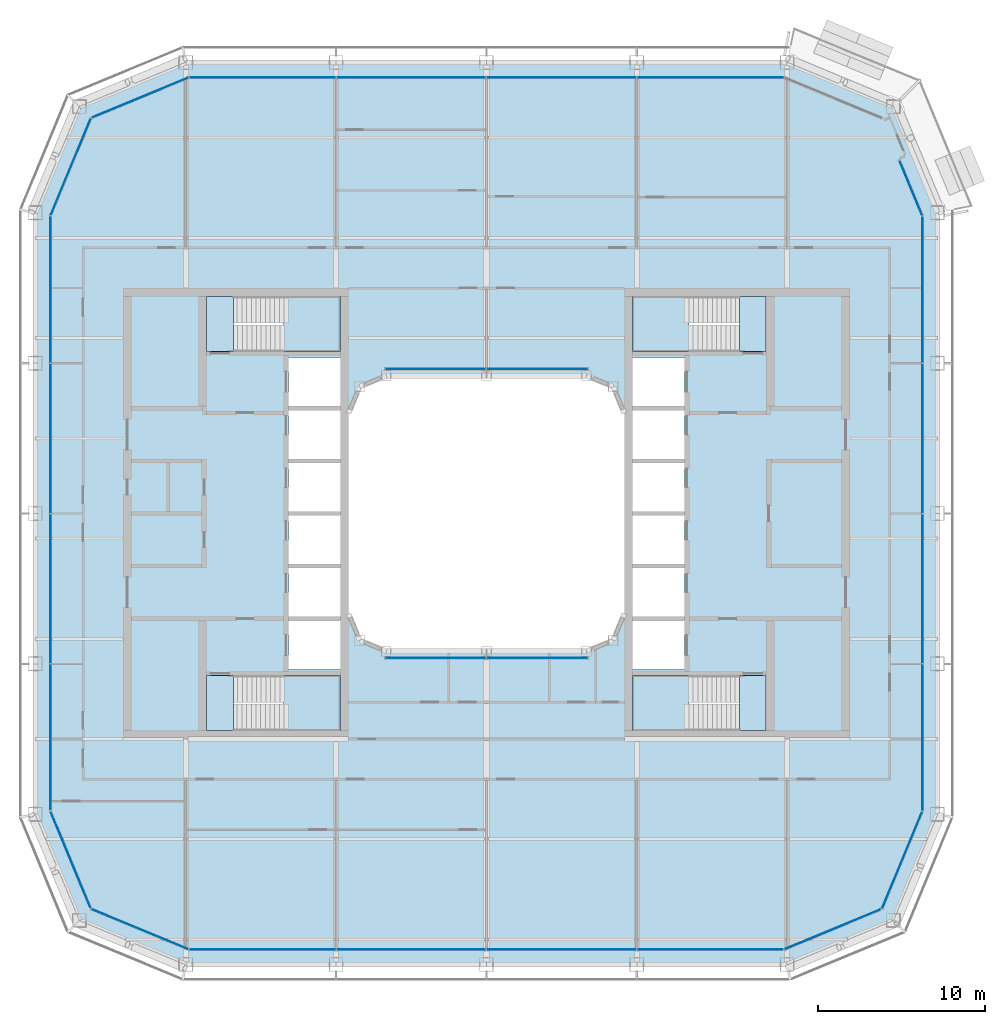
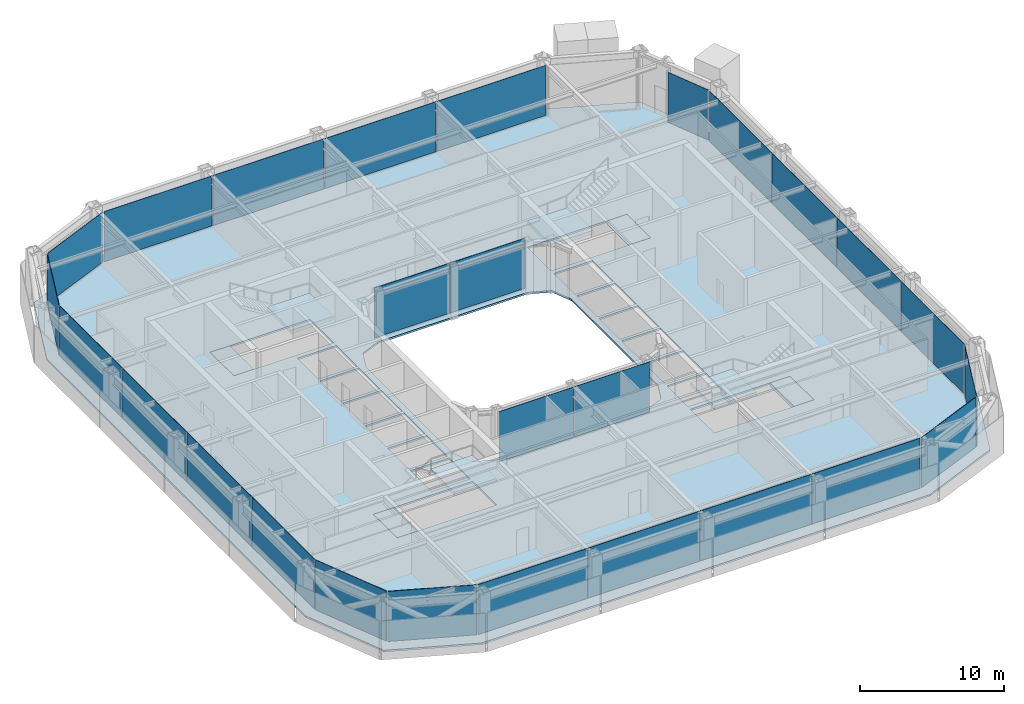
# One storey, part 11 of 23: 27 plates, 9 slabs, 17 elements without a shape of their own.
"""IFC4 building model written with IfcOpenShell, lengths in metres."""

from ifc_helpers import new_model, si_unit, direction, frame, origin, origin_2d, place, context, subcontext, project, spatial, polyline, rectangle, outline, extrude, material, layer, layer_set, type_object, element, aggregate, save


model = new_model("IFC4")

# Units and contexts
model_context = context("Model", 3, precision=1e-05, world=origin(), true_north=direction((0.0, 1.0)))
body_context = subcontext(model_context, "Body", "Model", "MODEL_VIEW")
ifc_project = project(units=[si_unit("LENGTHUNIT", "METRE"), si_unit("AREAUNIT", "SQUARE_METRE"), si_unit("VOLUMEUNIT", "CUBIC_METRE"), si_unit("PLANEANGLEUNIT", "RADIAN"), si_unit("MASSUNIT", "GRAM", prefix="KILO")], contexts=[model_context])

# Site, building, storey
site_placement = place(None, origin())
site = spatial("IfcSite", under=ifc_project, at=site_placement, CompositionType="ELEMENT")
building_placement = place(site_placement, origin())
building = spatial("IfcBuilding", under=site, at=building_placement, Name="Siwar Civic Tower", CompositionType="ELEMENT")
storey_placement = place(building_placement, frame((0.0, 0.0, 206.199951171875)))
storey = spatial("IfcBuildingStorey", under=building, at=storey_placement, Name="L44", CompositionType="ELEMENT", Elevation=206.199951171875)

# Stair, slabs
ifc_material_1 = material(Name="Concrete C40/50", Category="concrete")
stair_type = type_object("IfcStairType", Name="CORE-STAIR", PredefinedType="TWO_STRAIGHT_RUN_STAIR", material=ifc_material_1)
stair_1_placement = place(storey_placement, origin())
stair_1 = element("IfcStair", 1, at=stair_1_placement, inside=storey, type_object=stair_type, Name="Exit stair ST1", PredefinedType="TWO_STRAIGHT_RUN_STAIR")
ifc_material_2 = material(Name="Concrete C40/50", Category="concrete")
ifc_layer_1 = layer(ifc_material_2, 0.300048828125)
ifc_layer_set_1 = layer_set([ifc_layer_1], Name="Concrete C40/50")
slab_type_1 = type_object("IfcSlabType", Name="CORE-STAIR-LANDING", PredefinedType="LANDING", material=ifc_layer_set_1)
slab_1_placement = place(storey_placement, frame((0.0, 0.0, -0.300048828125)))
slab_1 = element("IfcSlab", 2, at=slab_1_placement, type_object=slab_type_1, Name="ST1 landing 1", PredefinedType="LANDING", context=body_context, shape_type="SweptSolid", body=[
    extrude(outline(polyline([(-15.14990234375, 13.0), (-16.75, 13.0), (-16.75, 9.699951171875), (-15.14990234375, 9.699951171875), (-15.14990234375, 13.0)])), origin(), (0.0, 0.0, 1.0), 0.300048828125),
])
slab_2_placement = place(storey_placement, frame((0.0, 0.0, 1.949951171875)))
slab_2 = element("IfcSlab", 3, at=slab_2_placement, type_object=slab_type_1, Name="ST1 landing 2", PredefinedType="LANDING", context=body_context, shape_type="SweptSolid", body=[
    extrude(outline(polyline([(-8.75, 13.0), (-12.139892578125, 13.0), (-12.139892578125, 9.699951171875), (-8.75, 9.699951171875), (-8.75, 13.0)])), origin(), (0.0, 0.0, 1.0), 0.300048828125),
])
aggregate(stair_1, [slab_1, slab_2])

stair_2_placement = place(storey_placement, origin())
stair_2 = element("IfcStair", 4, at=stair_2_placement, inside=storey, type_object=stair_type, Name="Exit stair ST2", PredefinedType="TWO_STRAIGHT_RUN_STAIR")
slab_3_placement = place(storey_placement, frame((0.0, 0.0, -0.300048828125)))
slab_3 = element("IfcSlab", 5, at=slab_3_placement, type_object=slab_type_1, Name="ST2 landing 1", PredefinedType="LANDING", context=body_context, shape_type="SweptSolid", body=[
    extrude(outline(polyline([(-15.14990234375, -9.699951171875), (-16.75, -9.699951171875), (-16.75, -13.0), (-15.14990234375, -13.0), (-15.14990234375, -9.699951171875)])), origin(), (0.0, 0.0, 1.0), 0.300048828125),
])
slab_4_placement = place(storey_placement, frame((0.0, 0.0, 1.949951171875)))
slab_4 = element("IfcSlab", 6, at=slab_4_placement, type_object=slab_type_1, Name="ST2 landing 2", PredefinedType="LANDING", context=body_context, shape_type="SweptSolid", body=[
    extrude(outline(polyline([(-8.75, -9.699951171875), (-12.139892578125, -9.699951171875), (-12.139892578125, -13.0), (-8.75, -13.0), (-8.75, -9.699951171875)])), origin(), (0.0, 0.0, 1.0), 0.300048828125),
])
aggregate(stair_2, [slab_3, slab_4])

stair_3_placement = place(storey_placement, origin())
stair_3 = element("IfcStair", 7, at=stair_3_placement, inside=storey, type_object=stair_type, Name="Exit stair ST3", PredefinedType="TWO_STRAIGHT_RUN_STAIR")
slab_5_placement = place(storey_placement, frame((0.0, 0.0, -0.300048828125)))
slab_5 = element("IfcSlab", 8, at=slab_5_placement, type_object=slab_type_1, Name="ST3 landing 1", PredefinedType="LANDING", context=body_context, shape_type="SweptSolid", body=[
    extrude(outline(polyline([(15.14990234375, 9.699951171875), (16.75, 9.699951171875), (16.75, 13.0), (15.14990234375, 13.0), (15.14990234375, 9.699951171875)])), origin(), (0.0, 0.0, 1.0), 0.300048828125),
])
slab_6_placement = place(storey_placement, frame((0.0, 0.0, 1.949951171875)))
slab_6 = element("IfcSlab", 9, at=slab_6_placement, type_object=slab_type_1, Name="ST3 landing 2", PredefinedType="LANDING", context=body_context, shape_type="SweptSolid", body=[
    extrude(outline(polyline([(8.75, 9.699951171875), (12.139892578125, 9.699951171875), (12.139892578125, 13.0), (8.75, 13.0), (8.75, 9.699951171875)])), origin(), (0.0, 0.0, 1.0), 0.300048828125),
])
aggregate(stair_3, [slab_5, slab_6])

stair_4_placement = place(storey_placement, origin())
stair_4 = element("IfcStair", 10, at=stair_4_placement, inside=storey, type_object=stair_type, Name="Exit stair ST4", PredefinedType="TWO_STRAIGHT_RUN_STAIR")
slab_7_placement = place(storey_placement, frame((0.0, 0.0, -0.300048828125)))
slab_7 = element("IfcSlab", 11, at=slab_7_placement, type_object=slab_type_1, Name="ST4 landing 1", PredefinedType="LANDING", context=body_context, shape_type="SweptSolid", body=[
    extrude(outline(polyline([(15.14990234375, -13.0), (16.75, -13.0), (16.75, -9.699951171875), (15.14990234375, -9.699951171875), (15.14990234375, -13.0)])), origin(), (0.0, 0.0, 1.0), 0.300048828125),
])
slab_8_placement = place(storey_placement, frame((0.0, 0.0, 1.949951171875)))
slab_8 = element("IfcSlab", 12, at=slab_8_placement, type_object=slab_type_1, Name="ST4 landing 2", PredefinedType="LANDING", context=body_context, shape_type="SweptSolid", body=[
    extrude(outline(polyline([(8.75, -13.0), (12.139892578125, -13.0), (12.139892578125, -9.699951171875), (8.75, -9.699951171875), (8.75, -13.0)])), origin(), (0.0, 0.0, 1.0), 0.300048828125),
])
aggregate(stair_4, [slab_7, slab_8])

# Curtain wall, plates
ifc_material_3 = material(Name="Aluminium and glass", Category="aluminium")
ifc_layer_2 = layer(ifc_material_3, 0.179931640625)
ifc_layer_set_2 = layer_set([ifc_layer_2], Name="Aluminium and glass")
curtain_wall_type_1 = type_object("IfcCurtainWallType", Name="ENV-CW-C", PredefinedType="NOTDEFINED", material=ifc_layer_set_2)
curtain_wall_1_placement = place(storey_placement, origin())
curtain_wall_1 = element("IfcCurtainWall", 13, at=curtain_wall_1_placement, inside=storey, type_object=curtain_wall_type_1, Name="Curtain wall C S", PredefinedType="NOTDEFINED")
ifc_material_4 = material(Name="Glass clear laminated", Category="glass")
ifc_layer_3 = layer(ifc_material_4, 0.031982421875)
ifc_layer_set_3 = layer_set([ifc_layer_3], Name="Glass clear laminated")
plate_type_1 = type_object("IfcPlateType", Name="ENV-PANEL-C", PredefinedType="CURTAIN_PANEL", material=ifc_layer_set_3)
plate_1_placement = place(storey_placement, frame((-13.410400390625, -26.10009765625, 0.10009765625), z_axis=(0.0, 0.0, 1.0), x_axis=(1.0, 0.0, 0.0)))
plate_1 = element("IfcPlate", 14, at=plate_1_placement, type_object=plate_type_1, Name="Curtain panel C S 1", PredefinedType="CURTAIN_PANEL", context=body_context, shape_type="SweptSolid", body=[
    extrude(rectangle(XDim=8.760986328125, YDim=0.031982421875, at=origin_2d()), origin(), (0.0, 0.0, 1.0), 4.25),
])
plate_2_placement = place(storey_placement, frame((-4.5, -26.10009765625, 0.10009765625), z_axis=(0.0, 0.0, 1.0), x_axis=(1.0, 0.0, 0.0)))
plate_2 = element("IfcPlate", 15, at=plate_2_placement, type_object=plate_type_1, Name="Curtain panel C S 2", PredefinedType="CURTAIN_PANEL", context=body_context, shape_type="SweptSolid", body=[
    extrude(rectangle(XDim=8.93994140625, YDim=0.031982421875, at=origin_2d()), origin(), (0.0, 0.0, 1.0), 4.25),
])
plate_3_placement = place(storey_placement, frame((4.5, -26.10009765625, 0.10009765625), z_axis=(0.0, 0.0, 1.0), x_axis=(1.0, 0.0, 0.0)))
plate_3 = element("IfcPlate", 16, at=plate_3_placement, type_object=plate_type_1, Name="Curtain panel C S 3", PredefinedType="CURTAIN_PANEL", context=body_context, shape_type="SweptSolid", body=[
    extrude(rectangle(XDim=8.93994140625, YDim=0.031982421875, at=origin_2d()), origin(), (0.0, 0.0, 1.0), 4.25),
])
plate_4_placement = place(storey_placement, frame((13.373046875, -26.10009765625, 0.10009765625), z_axis=(0.0, 0.0, 1.0), x_axis=(1.0, 0.0, 0.0)))
plate_4 = element("IfcPlate", 17, at=plate_4_placement, type_object=plate_type_1, Name="Curtain panel C S 4", PredefinedType="CURTAIN_PANEL", context=body_context, shape_type="SweptSolid", body=[
    extrude(rectangle(XDim=8.68603515625, YDim=0.031982421875, at=origin_2d()), origin(), (0.0, 0.0, 1.0), 4.25),
])
aggregate(curtain_wall_1, [plate_1, plate_2, plate_3, plate_4])

curtain_wall_2_placement = place(storey_placement, origin())
curtain_wall_2 = element("IfcCurtainWall", 18, at=curtain_wall_2_placement, inside=storey, type_object=curtain_wall_type_1, Name="Curtain wall C E", PredefinedType="NOTDEFINED")
plate_5_placement = place(storey_placement, frame((26.10009765625, -13.410400390625, 0.10009765625), z_axis=(0.0, 0.0, 1.0), x_axis=(0.0, 1.0, 0.0)))
plate_5 = element("IfcPlate", 19, at=plate_5_placement, type_object=plate_type_1, Name="Curtain panel C E 1", PredefinedType="CURTAIN_PANEL", context=body_context, shape_type="SweptSolid", body=[
    extrude(rectangle(XDim=8.760986328125, YDim=0.031982421875, at=origin_2d()), origin(), (0.0, 0.0, 1.0), 4.25),
])
plate_6_placement = place(storey_placement, frame((26.10009765625, -4.5, 0.10009765625), z_axis=(0.0, 0.0, 1.0), x_axis=(0.0, 1.0, 0.0)))
plate_6 = element("IfcPlate", 20, at=plate_6_placement, type_object=plate_type_1, Name="Curtain panel C E 2", PredefinedType="CURTAIN_PANEL", context=body_context, shape_type="SweptSolid", body=[
    extrude(rectangle(XDim=8.93994140625, YDim=0.031982421875, at=origin_2d()), origin(), (0.0, 0.0, 1.0), 4.25),
])
plate_7_placement = place(storey_placement, frame((26.10009765625, 4.5, 0.10009765625), z_axis=(0.0, 0.0, 1.0), x_axis=(0.0, 1.0, 0.0)))
plate_7 = element("IfcPlate", 21, at=plate_7_placement, type_object=plate_type_1, Name="Curtain panel C E 3", PredefinedType="CURTAIN_PANEL", context=body_context, shape_type="SweptSolid", body=[
    extrude(rectangle(XDim=8.93994140625, YDim=0.031982421875, at=origin_2d()), origin(), (0.0, 0.0, 1.0), 4.25),
])
plate_8_placement = place(storey_placement, frame((26.10009765625, 13.373046875, 0.10009765625), z_axis=(0.0, 0.0, 1.0), x_axis=(0.0, 1.0, 0.0)))
plate_8 = element("IfcPlate", 22, at=plate_8_placement, type_object=plate_type_1, Name="Curtain panel C E 4", PredefinedType="CURTAIN_PANEL", context=body_context, shape_type="SweptSolid", body=[
    extrude(rectangle(XDim=8.68603515625, YDim=0.031982421875, at=origin_2d()), origin(), (0.0, 0.0, 1.0), 4.25),
])
aggregate(curtain_wall_2, [plate_5, plate_6, plate_7, plate_8])

curtain_wall_3_placement = place(storey_placement, origin())
curtain_wall_3 = element("IfcCurtainWall", 23, at=curtain_wall_3_placement, inside=storey, type_object=curtain_wall_type_1, Name="Curtain wall C N", PredefinedType="NOTDEFINED")
plate_9_placement = place(storey_placement, frame((13.410400390625, 26.10009765625, 0.10009765625), z_axis=(0.0, 0.0, 1.0), x_axis=(-1.0, 0.0, 0.0)))
plate_9 = element("IfcPlate", 24, at=plate_9_placement, type_object=plate_type_1, Name="Curtain panel C N 1", PredefinedType="CURTAIN_PANEL", context=body_context, shape_type="SweptSolid", body=[
    extrude(rectangle(XDim=8.760986328125, YDim=0.031982421875, at=origin_2d()), origin(), (0.0, 0.0, 1.0), 4.25),
])
plate_10_placement = place(storey_placement, frame((4.5, 26.10009765625, 0.10009765625), z_axis=(0.0, 0.0, 1.0), x_axis=(-1.0, 0.0, 0.0)))
plate_10 = element("IfcPlate", 25, at=plate_10_placement, type_object=plate_type_1, Name="Curtain panel C N 2", PredefinedType="CURTAIN_PANEL", context=body_context, shape_type="SweptSolid", body=[
    extrude(rectangle(XDim=8.93994140625, YDim=0.031982421875, at=origin_2d()), origin(), (0.0, 0.0, 1.0), 4.25),
])
plate_11_placement = place(storey_placement, frame((-4.5, 26.10009765625, 0.10009765625), z_axis=(0.0, 0.0, 1.0), x_axis=(-1.0, 0.0, 0.0)))
plate_11 = element("IfcPlate", 26, at=plate_11_placement, type_object=plate_type_1, Name="Curtain panel C N 3", PredefinedType="CURTAIN_PANEL", context=body_context, shape_type="SweptSolid", body=[
    extrude(rectangle(XDim=8.93994140625, YDim=0.031982421875, at=origin_2d()), origin(), (0.0, 0.0, 1.0), 4.25),
])
plate_12_placement = place(storey_placement, frame((-13.373046875, 26.10009765625, 0.10009765625), z_axis=(0.0, 0.0, 1.0), x_axis=(-1.0, 0.0, 0.0)))
plate_12 = element("IfcPlate", 27, at=plate_12_placement, type_object=plate_type_1, Name="Curtain panel C N 4", PredefinedType="CURTAIN_PANEL", context=body_context, shape_type="SweptSolid", body=[
    extrude(rectangle(XDim=8.68603515625, YDim=0.031982421875, at=origin_2d()), origin(), (0.0, 0.0, 1.0), 4.25),
])
aggregate(curtain_wall_3, [plate_9, plate_10, plate_11, plate_12])

curtain_wall_4_placement = place(storey_placement, origin())
curtain_wall_4 = element("IfcCurtainWall", 28, at=curtain_wall_4_placement, inside=storey, type_object=curtain_wall_type_1, Name="Curtain wall C W", PredefinedType="NOTDEFINED")
plate_13_placement = place(storey_placement, frame((-26.10009765625, 13.410400390625, 0.10009765625), z_axis=(0.0, 0.0, 1.0), x_axis=(0.0, -1.0, 0.0)))
plate_13 = element("IfcPlate", 29, at=plate_13_placement, type_object=plate_type_1, Name="Curtain panel C W 1", PredefinedType="CURTAIN_PANEL", context=body_context, shape_type="SweptSolid", body=[
    extrude(rectangle(XDim=8.760986328125, YDim=0.031982421875, at=origin_2d()), origin(), (0.0, 0.0, 1.0), 4.25),
])
plate_14_placement = place(storey_placement, frame((-26.10009765625, 4.5, 0.10009765625), z_axis=(0.0, 0.0, 1.0), x_axis=(0.0, -1.0, 0.0)))
plate_14 = element("IfcPlate", 30, at=plate_14_placement, type_object=plate_type_1, Name="Curtain panel C W 2", PredefinedType="CURTAIN_PANEL", context=body_context, shape_type="SweptSolid", body=[
    extrude(rectangle(XDim=8.93994140625, YDim=0.031982421875, at=origin_2d()), origin(), (0.0, 0.0, 1.0), 4.25),
])
plate_15_placement = place(storey_placement, frame((-26.10009765625, -4.5, 0.10009765625), z_axis=(0.0, 0.0, 1.0), x_axis=(0.0, -1.0, 0.0)))
plate_15 = element("IfcPlate", 31, at=plate_15_placement, type_object=plate_type_1, Name="Curtain panel C W 3", PredefinedType="CURTAIN_PANEL", context=body_context, shape_type="SweptSolid", body=[
    extrude(rectangle(XDim=8.93994140625, YDim=0.031982421875, at=origin_2d()), origin(), (0.0, 0.0, 1.0), 4.25),
])
plate_16_placement = place(storey_placement, frame((-26.10009765625, -13.373046875, 0.10009765625), z_axis=(0.0, 0.0, 1.0), x_axis=(0.0, -1.0, 0.0)))
plate_16 = element("IfcPlate", 32, at=plate_16_placement, type_object=plate_type_1, Name="Curtain panel C W 4", PredefinedType="CURTAIN_PANEL", context=body_context, shape_type="SweptSolid", body=[
    extrude(rectangle(XDim=8.68603515625, YDim=0.031982421875, at=origin_2d()), origin(), (0.0, 0.0, 1.0), 4.25),
])
aggregate(curtain_wall_4, [plate_13, plate_14, plate_15, plate_16])

# Curtain wall, plate
ifc_material_5 = material(Name="Aluminium clad insulated panel", Category="aluminium")
ifc_layer_4 = layer(ifc_material_5, 0.179931640625)
ifc_layer_set_4 = layer_set([ifc_layer_4], Name="Aluminium clad insulated panel")
curtain_wall_type_2 = type_object("IfcCurtainWallType", Name="ENV-CW-CX", PredefinedType="NOTDEFINED", material=ifc_layer_set_4)
curtain_wall_5_placement = place(storey_placement, origin())
curtain_wall_5 = element("IfcCurtainWall", 33, at=curtain_wall_5_placement, inside=storey, type_object=curtain_wall_type_2, Name="Curtain wall C SE1", PredefinedType="NOTDEFINED")
ifc_material_6 = material(Name="Aluminium clad insulated panel", Category="aluminium")
ifc_layer_5 = layer(ifc_material_6, 0.031982421875)
ifc_layer_set_5 = layer_set([ifc_layer_5], Name="Aluminium clad insulated panel")
plate_type_2 = type_object("IfcPlateType", Name="ENV-PANEL-CX", PredefinedType="CURTAIN_PANEL", material=ifc_layer_set_5)
plate_17_placement = place(storey_placement, frame((20.71337890625, -24.90185546875, 0.10009765625), z_axis=(0.0, 0.0, 1.0), x_axis=(0.923879532511, 0.382683432365, 0.0)))
plate_17 = element("IfcPlate", 34, at=plate_17_placement, type_object=plate_type_2, Name="Curtain panel C SE1 1", PredefinedType="CURTAIN_PANEL", context=body_context, shape_type="SweptSolid", body=[
    extrude(rectangle(XDim=6.20166015625, YDim=0.031982421875, at=origin_2d()), origin(), (0.0, 0.0, 1.0), 4.25),
])
aggregate(curtain_wall_5, [plate_17])

curtain_wall_6_placement = place(storey_placement, origin())
curtain_wall_6 = element("IfcCurtainWall", 35, at=curtain_wall_6_placement, inside=storey, type_object=curtain_wall_type_2, Name="Curtain wall C SE2", PredefinedType="NOTDEFINED")
plate_18_placement = place(storey_placement, frame((24.873291015625, -20.78271484375, 0.10009765625), z_axis=(0.0, 0.0, 1.0), x_axis=(0.382683432365, 0.923879532511, 0.0)))
plate_18 = element("IfcPlate", 36, at=plate_18_placement, type_object=plate_type_2, Name="Curtain panel C SE2 1", PredefinedType="CURTAIN_PANEL", context=body_context, shape_type="SweptSolid", body=[
    extrude(rectangle(XDim=6.20166015625, YDim=0.031982421875, at=origin_2d()), origin(), (0.0, 0.0, 1.0), 4.25),
])
aggregate(curtain_wall_6, [plate_18])

curtain_wall_7_placement = place(storey_placement, origin())
curtain_wall_7 = element("IfcCurtainWall", 37, at=curtain_wall_7_placement, inside=storey, type_object=curtain_wall_type_2, Name="Curtain wall C NE1", PredefinedType="NOTDEFINED")
plate_19_placement = place(storey_placement, frame((25.40966796875, 19.4873046875, 0.10009765625), z_axis=(0.0, 0.0, 1.0), x_axis=(-0.382683432365, 0.923879532511, 0.0)))
plate_19 = element("IfcPlate", 38, at=plate_19_placement, type_object=plate_type_2, Name="Curtain panel C NE1 1", PredefinedType="CURTAIN_PANEL", context=body_context, shape_type="SweptSolid", body=[
    extrude(rectangle(XDim=3.54736328125, YDim=0.031982421875, at=origin_2d()), origin(), (0.0, 0.0, 1.0), 4.25),
])
aggregate(curtain_wall_7, [plate_19])

curtain_wall_8_placement = place(storey_placement, origin())
curtain_wall_8 = element("IfcCurtainWall", 39, at=curtain_wall_8_placement, inside=storey, type_object=curtain_wall_type_2, Name="Curtain wall C NW1", PredefinedType="NOTDEFINED")
plate_20_placement = place(storey_placement, frame((-20.71337890625, 24.90185546875, 0.10009765625), z_axis=(0.0, 0.0, 1.0), x_axis=(-0.923879532511, -0.382683432365, 0.0)))
plate_20 = element("IfcPlate", 40, at=plate_20_placement, type_object=plate_type_2, Name="Curtain panel C NW1 1", PredefinedType="CURTAIN_PANEL", context=body_context, shape_type="SweptSolid", body=[
    extrude(rectangle(XDim=6.20166015625, YDim=0.031982421875, at=origin_2d()), origin(), (0.0, 0.0, 1.0), 4.25),
])
aggregate(curtain_wall_8, [plate_20])

curtain_wall_9_placement = place(storey_placement, origin())
curtain_wall_9 = element("IfcCurtainWall", 41, at=curtain_wall_9_placement, inside=storey, type_object=curtain_wall_type_2, Name="Curtain wall C NW2", PredefinedType="NOTDEFINED")
plate_21_placement = place(storey_placement, frame((-24.873291015625, 20.78271484375, 0.10009765625), z_axis=(0.0, 0.0, 1.0), x_axis=(-0.382683432365, -0.923879532511, 0.0)))
plate_21 = element("IfcPlate", 42, at=plate_21_placement, type_object=plate_type_2, Name="Curtain panel C NW2 1", PredefinedType="CURTAIN_PANEL", context=body_context, shape_type="SweptSolid", body=[
    extrude(rectangle(XDim=6.20166015625, YDim=0.031982421875, at=origin_2d()), origin(), (0.0, 0.0, 1.0), 4.25),
])
aggregate(curtain_wall_9, [plate_21])

curtain_wall_10_placement = place(storey_placement, origin())
curtain_wall_10 = element("IfcCurtainWall", 43, at=curtain_wall_10_placement, inside=storey, type_object=curtain_wall_type_2, Name="Curtain wall C SW1", PredefinedType="NOTDEFINED")
plate_22_placement = place(storey_placement, frame((-24.90185546875, -20.71337890625, 0.10009765625), z_axis=(0.0, 0.0, 1.0), x_axis=(0.382683432365, -0.923879532511, 0.0)))
plate_22 = element("IfcPlate", 44, at=plate_22_placement, type_object=plate_type_2, Name="Curtain panel C SW1 1", PredefinedType="CURTAIN_PANEL", context=body_context, shape_type="SweptSolid", body=[
    extrude(rectangle(XDim=6.20166015625, YDim=0.031982421875, at=origin_2d()), origin(), (0.0, 0.0, 1.0), 4.25),
])
aggregate(curtain_wall_10, [plate_22])

curtain_wall_11_placement = place(storey_placement, origin())
curtain_wall_11 = element("IfcCurtainWall", 45, at=curtain_wall_11_placement, inside=storey, type_object=curtain_wall_type_2, Name="Curtain wall C SW2", PredefinedType="NOTDEFINED")
plate_23_placement = place(storey_placement, frame((-20.78271484375, -24.873291015625, 0.10009765625), z_axis=(0.0, 0.0, 1.0), x_axis=(0.923879532511, -0.382683432365, 0.0)))
plate_23 = element("IfcPlate", 46, at=plate_23_placement, type_object=plate_type_2, Name="Curtain panel C SW2 1", PredefinedType="CURTAIN_PANEL", context=body_context, shape_type="SweptSolid", body=[
    extrude(rectangle(XDim=6.20166015625, YDim=0.031982421875, at=origin_2d()), origin(), (0.0, 0.0, 1.0), 4.25),
])
aggregate(curtain_wall_11, [plate_23])

# Curtain wall, plates
ifc_material_7 = material(Name="Aluminium and glass", Category="aluminium")
ifc_layer_6 = layer(ifc_material_7, 0.179931640625)
ifc_layer_set_6 = layer_set([ifc_layer_6], Name="Aluminium and glass")
curtain_wall_type_3 = type_object("IfcCurtainWallType", Name="ENV-CW-W", PredefinedType="NOTDEFINED", material=ifc_layer_set_6)
curtain_wall_12_placement = place(storey_placement, origin())
curtain_wall_12 = element("IfcCurtainWall", 47, at=curtain_wall_12_placement, inside=storey, type_object=curtain_wall_type_3, Name="Curtain wall W WS", PredefinedType="NOTDEFINED")
ifc_material_8 = material(Name="Glass clear laminated", Category="glass")
ifc_layer_7 = layer(ifc_material_8, 0.031982421875)
ifc_layer_set_7 = layer_set([ifc_layer_7], Name="Glass clear laminated")
plate_type_3 = type_object("IfcPlateType", Name="ENV-PANEL-W", PredefinedType="CURTAIN_PANEL", material=ifc_layer_set_7)
plate_24_placement = place(storey_placement, frame((-3.040771484375, -8.659912109375, 0.10009765625), z_axis=(0.0, 0.0, 1.0), x_axis=(1.0, 0.0, 0.0)))
plate_24 = element("IfcPlate", 48, at=plate_24_placement, type_object=plate_type_3, Name="Curtain panel W WS 1", PredefinedType="CURTAIN_PANEL", context=body_context, shape_type="SweptSolid", body=[
    extrude(rectangle(XDim=6.021484375, YDim=0.031982421875, at=origin_2d()), origin(), (0.0, 0.0, 1.0), 4.25),
])
plate_25_placement = place(storey_placement, frame((3.040771484375, -8.659912109375, 0.10009765625), z_axis=(0.0, 0.0, 1.0), x_axis=(1.0, 0.0, 0.0)))
plate_25 = element("IfcPlate", 49, at=plate_25_placement, type_object=plate_type_3, Name="Curtain panel W WS 2", PredefinedType="CURTAIN_PANEL", context=body_context, shape_type="SweptSolid", body=[
    extrude(rectangle(XDim=6.021484375, YDim=0.031982421875, at=origin_2d()), origin(), (0.0, 0.0, 1.0), 4.25),
])
aggregate(curtain_wall_12, [plate_24, plate_25])

curtain_wall_13_placement = place(storey_placement, origin())
curtain_wall_13 = element("IfcCurtainWall", 50, at=curtain_wall_13_placement, inside=storey, type_object=curtain_wall_type_3, Name="Curtain wall W WN", PredefinedType="NOTDEFINED")
plate_26_placement = place(storey_placement, frame((3.040771484375, 8.659912109375, 0.10009765625), z_axis=(0.0, 0.0, 1.0), x_axis=(-1.0, 0.0, 0.0)))
plate_26 = element("IfcPlate", 51, at=plate_26_placement, type_object=plate_type_3, Name="Curtain panel W WN 1", PredefinedType="CURTAIN_PANEL", context=body_context, shape_type="SweptSolid", body=[
    extrude(rectangle(XDim=6.021484375, YDim=0.031982421875, at=origin_2d()), origin(), (0.0, 0.0, 1.0), 4.25),
])
plate_27_placement = place(storey_placement, frame((-3.040771484375, 8.659912109375, 0.10009765625), z_axis=(0.0, 0.0, 1.0), x_axis=(-1.0, 0.0, 0.0)))
plate_27 = element("IfcPlate", 52, at=plate_27_placement, type_object=plate_type_3, Name="Curtain panel W WN 2", PredefinedType="CURTAIN_PANEL", context=body_context, shape_type="SweptSolid", body=[
    extrude(rectangle(XDim=6.021484375, YDim=0.031982421875, at=origin_2d()), origin(), (0.0, 0.0, 1.0), 4.25),
])
aggregate(curtain_wall_13, [plate_26, plate_27])

# Slab
ifc_material_9 = material(Name="Concrete C40/50", Category="concrete")
ifc_layer_8 = layer(ifc_material_9, 0.14990234375)
ifc_layer_set_8 = layer_set([ifc_layer_8], Name="Concrete C40/50")
slab_type_2 = type_object("IfcSlabType", Name="STR-FLOOR-DECK-150", PredefinedType="FLOOR", material=ifc_layer_set_8)
slab_9_placement = place(storey_placement, frame((0.0, 0.0, -0.14990234375)))
element("IfcSlab", 53, at=slab_9_placement, inside=storey, type_object=slab_type_2, Name="L44/slab/1", PredefinedType="FLOOR", context=body_context, shape_type="SweptSolid", body=[
    extrude(outline(polyline([(-18.0, -27.0), (18.0, -27.0), (24.364013671875, -24.364013671875), (27.0, -18.0), (27.0, 18.0), (24.364013671875, 24.364013671875), (18.0, 27.0), (-18.0, 27.0), (-24.364013671875, 24.364013671875), (-27.0, 18.0), (-27.0, -18.0), (-24.364013671875, -24.364013671875), (-18.0, -27.0)]), holes=[polyline([(16.75, 13.0), (16.75, 9.699951171875), (8.75, 9.699951171875), (8.75, 13.0), (16.75, 13.0)]), polyline([(8.75, -9.699951171875), (16.75, -9.699951171875), (16.75, -13.0), (8.75, -13.0), (8.75, -9.699951171875)]), polyline([(11.85009765625, 9.324951171875), (11.85009765625, 6.425048828125), (8.75, 6.425048828125), (8.75, 9.324951171875), (11.85009765625, 9.324951171875)]), polyline([(8.75, 6.175048828125), (11.85009765625, 6.175048828125), (11.85009765625, 3.27490234375), (8.75, 3.27490234375), (8.75, 6.175048828125)]), polyline([(8.75, 3.02490234375), (11.85009765625, 3.02490234375), (11.85009765625, 0.125), (8.75, 0.125), (8.75, 3.02490234375)]), polyline([(8.75, -0.125), (11.85009765625, -0.125), (11.85009765625, -3.02490234375), (8.75, -3.02490234375), (8.75, -0.125)]), polyline([(8.75, -3.27490234375), (11.85009765625, -3.27490234375), (11.85009765625, -6.175048828125), (8.75, -6.175048828125), (8.75, -3.27490234375)]), polyline([(8.75, -6.425048828125), (11.85009765625, -6.425048828125), (11.85009765625, -9.324951171875), (8.75, -9.324951171875), (8.75, -6.425048828125)]), polyline([(-6.0, 8.25), (6.0, 8.25), (7.591064453125, 7.591064453125), (8.25, 6.0), (8.25, -6.0), (7.591064453125, -7.591064453125), (6.0, -8.25), (-6.0, -8.25), (-7.591064453125, -7.591064453125), (-8.25, -6.0), (-8.25, 6.0), (-7.591064453125, 7.591064453125), (-6.0, 8.25)]), polyline([(-8.75, -13.0), (-16.75, -13.0), (-16.75, -9.699951171875), (-8.75, -9.699951171875), (-8.75, -13.0)]), polyline([(-8.75, 9.699951171875), (-16.75, 9.699951171875), (-16.75, 13.0), (-8.75, 13.0), (-8.75, 9.699951171875)]), polyline([(-8.75, 6.425048828125), (-11.85009765625, 6.425048828125), (-11.85009765625, 9.324951171875), (-8.75, 9.324951171875), (-8.75, 6.425048828125)]), polyline([(-8.75, 3.27490234375), (-11.85009765625, 3.27490234375), (-11.85009765625, 6.175048828125), (-8.75, 6.175048828125), (-8.75, 3.27490234375)]), polyline([(-8.75, 0.125), (-11.85009765625, 0.125), (-11.85009765625, 3.02490234375), (-8.75, 3.02490234375), (-8.75, 0.125)]), polyline([(-8.75, -3.02490234375), (-11.85009765625, -3.02490234375), (-11.85009765625, -0.125), (-8.75, -0.125), (-8.75, -3.02490234375)]), polyline([(-8.75, -6.175048828125), (-11.85009765625, -6.175048828125), (-11.85009765625, -3.27490234375), (-8.75, -3.27490234375), (-8.75, -6.175048828125)]), polyline([(-8.75, -9.324951171875), (-11.85009765625, -9.324951171875), (-11.85009765625, -6.425048828125), (-8.75, -6.425048828125), (-8.75, -9.324951171875)])]), origin(), (0.0, 0.0, 1.0), 0.14990234375),
])

save(model, "model.ifc")
